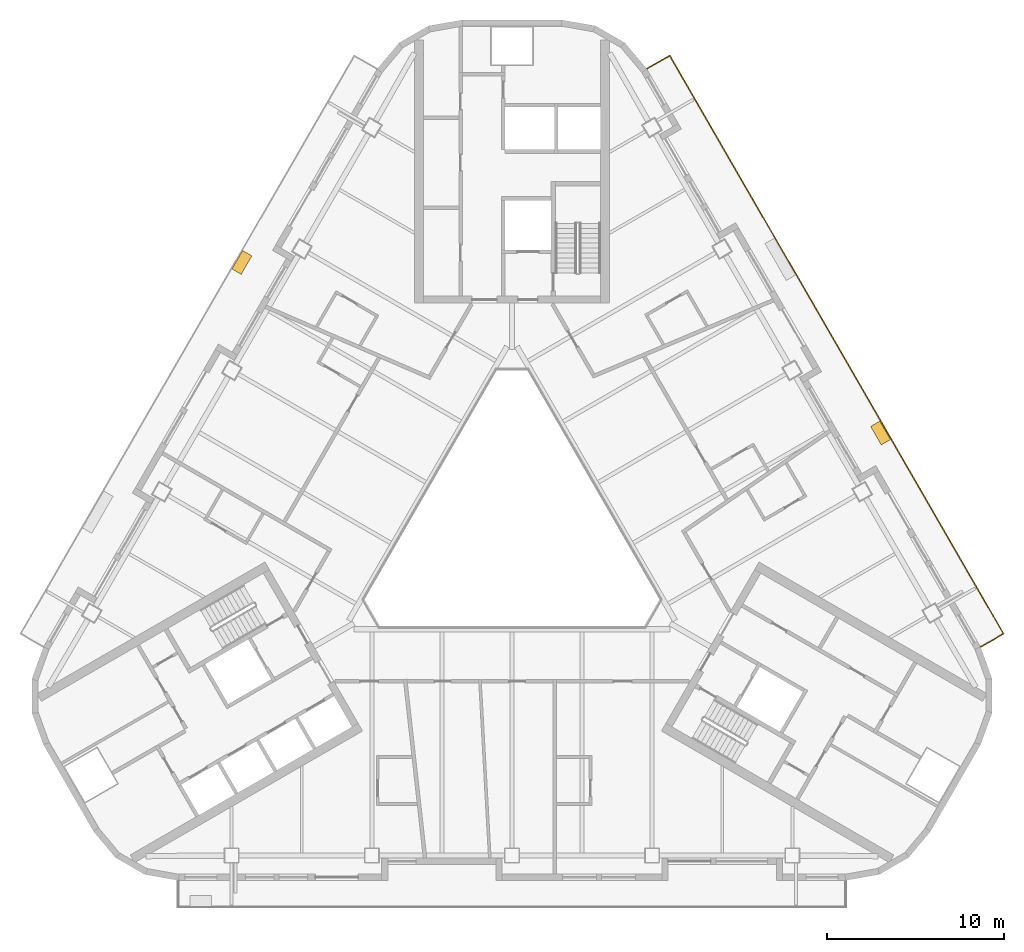
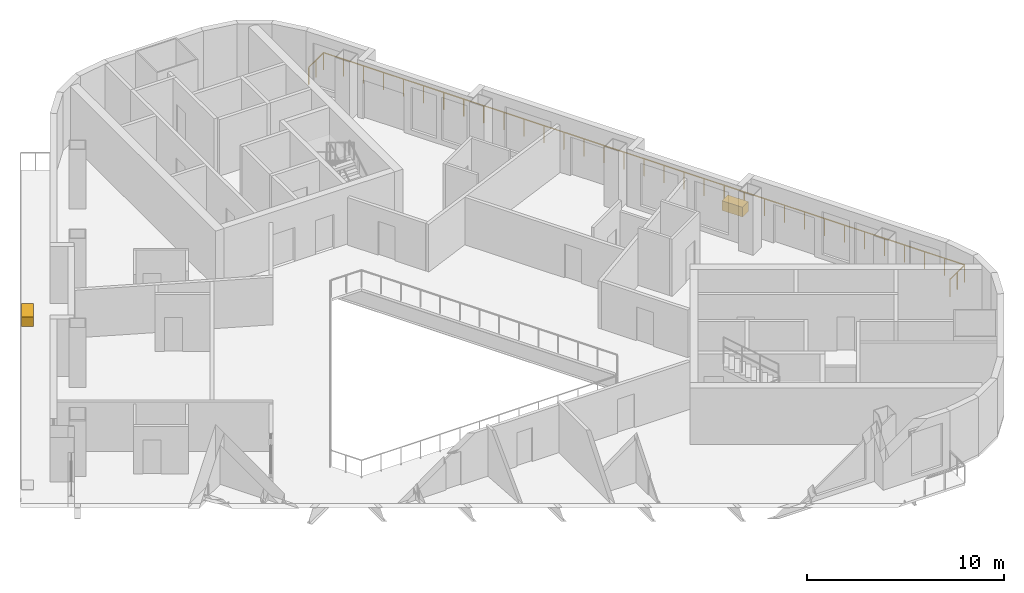
# One storey, part 12 of 13: 2 coverings, 1 railing.
"""IFC4 building model written with IfcOpenShell, lengths in metres."""

from ifc_helpers import new_model, si_unit, direction, frame, origin, origin_2d, place, context, subcontext, project, spatial, rectangle, extrude, material, type_object, element, save


model = new_model("IFC4")

# Units and contexts
model_context = context("Model", 3, precision=1e-05, world=origin(), true_north=direction((0.0, 1.0)))
body_context = subcontext(model_context, "Body", "Model", "MODEL_VIEW")
ifc_project = project(units=[si_unit("LENGTHUNIT", "METRE"), si_unit("AREAUNIT", "SQUARE_METRE"), si_unit("VOLUMEUNIT", "CUBIC_METRE"), si_unit("PLANEANGLEUNIT", "RADIAN"), si_unit("MASSUNIT", "GRAM", prefix="KILO")], contexts=[model_context])

# Site, building, storey
site_placement = place(None, origin())
site = spatial("IfcSite", under=ifc_project, at=site_placement, CompositionType="ELEMENT")
building_placement = place(site_placement, origin())
building = spatial("IfcBuilding", under=site, at=building_placement, Name="Apuvela Tower Hotel", CompositionType="ELEMENT")
storey_placement = place(building_placement, frame((0.0, 0.0, 165.10009765625)))
storey = spatial("IfcBuildingStorey", under=building, at=storey_placement, Name="L39", CompositionType="ELEMENT", Elevation=165.10009765625)

# Railing
ifc_material_1 = material(Name="Stainless steel 316 rail with laminated glass infill", Category="steel")
railing_type = type_object("IfcRailingType", Name="ENV-GUARD-1100", PredefinedType="GUARDRAIL", material=ifc_material_1)
railing_placement = place(storey_placement, frame((26.407958984375, -6.47998046875, 0.0)))
element("IfcRailing", 1, at=railing_placement, inside=storey, type_object=railing_type, Name="Balcony guard NE L39", PredefinedType="GUARDRAIL", context=body_context, shape_type="SweptSolid", body=[
    extrude(rectangle(XDim=0.050048828125, YDim=0.050048828125, at=origin_2d()), frame((0.0, 0.0, 1.0751953125), z_axis=(0.866031096941, 0.499990139034, 0.0), x_axis=(-0.499990139034, 0.866031096941, 0.0)), (0.0, 0.0, 1.0), 1.5),
    extrude(rectangle(XDim=0.050048828125, YDim=0.050048828125, at=origin_2d()), frame((1.299072265625, 0.75, 1.0751953125), z_axis=(-0.500000437506, 0.86602515119, 0.0), x_axis=(-0.86602515119, -0.500000437506, 0.0)), (0.0, 0.0, 1.0), 37.6318359375),
    extrude(rectangle(XDim=0.050048828125, YDim=0.050048828125, at=origin_2d()), frame((-17.516845703125, 33.340087890625, 1.0751953125), z_axis=(-0.86599040064, -0.500060622324, 0.0), x_axis=(0.500060622324, -0.86599040064, 0.0)), (0.0, 0.0, 1.0), 1.499755859375),
    extrude(rectangle(XDim=0.0400390625, YDim=0.0400390625, at=origin_2d()), origin(), (0.0, 0.0, 1.0), 1.050048828125),
    extrude(rectangle(XDim=0.0400390625, YDim=0.0400390625, at=origin_2d()), frame((0.6494140625, 0.375, 0.0)), (0.0, 0.0, 1.0), 1.050048828125),
    extrude(rectangle(XDim=0.0400390625, YDim=0.0400390625, at=origin_2d()), frame((1.299072265625, 0.75, 0.0)), (0.0, 0.0, 1.0), 1.050048828125),
    extrude(rectangle(XDim=0.0400390625, YDim=0.0400390625, at=origin_2d()), frame((0.711181640625, 1.7685546875, 0.0)), (0.0, 0.0, 1.0), 1.050048828125),
    extrude(rectangle(XDim=0.0400390625, YDim=0.0400390625, at=origin_2d()), frame((0.123046875, 2.786865234375, 0.0)), (0.0, 0.0, 1.0), 1.050048828125),
    extrude(rectangle(XDim=0.0400390625, YDim=0.0400390625, at=origin_2d()), frame((-0.46484375, 3.805419921875, 0.0)), (0.0, 0.0, 1.0), 1.050048828125),
    extrude(rectangle(XDim=0.0400390625, YDim=0.0400390625, at=origin_2d()), frame((-1.052978515625, 4.82373046875, 0.0)), (0.0, 0.0, 1.0), 1.050048828125),
    extrude(rectangle(XDim=0.0400390625, YDim=0.0400390625, at=origin_2d()), frame((-1.640869140625, 5.84228515625, 0.0)), (0.0, 0.0, 1.0), 1.050048828125),
    extrude(rectangle(XDim=0.0400390625, YDim=0.0400390625, at=origin_2d()), frame((-2.22900390625, 6.860595703125, 0.0)), (0.0, 0.0, 1.0), 1.050048828125),
    extrude(rectangle(XDim=0.0400390625, YDim=0.0400390625, at=origin_2d()), frame((-2.81689453125, 7.879150390625, 0.0)), (0.0, 0.0, 1.0), 1.050048828125),
    extrude(rectangle(XDim=0.0400390625, YDim=0.0400390625, at=origin_2d()), frame((-3.40478515625, 8.8974609375, 0.0)), (0.0, 0.0, 1.0), 1.050048828125),
    extrude(rectangle(XDim=0.0400390625, YDim=0.0400390625, at=origin_2d()), frame((-3.992919921875, 9.916015625, 0.0)), (0.0, 0.0, 1.0), 1.050048828125),
    extrude(rectangle(XDim=0.0400390625, YDim=0.0400390625, at=origin_2d()), frame((-4.580810546875, 10.934326171875, 0.0)), (0.0, 0.0, 1.0), 1.050048828125),
    extrude(rectangle(XDim=0.0400390625, YDim=0.0400390625, at=origin_2d()), frame((-5.1689453125, 11.952880859375, 0.0)), (0.0, 0.0, 1.0), 1.050048828125),
    extrude(rectangle(XDim=0.0400390625, YDim=0.0400390625, at=origin_2d()), frame((-5.7568359375, 12.97119140625, 0.0)), (0.0, 0.0, 1.0), 1.050048828125),
    extrude(rectangle(XDim=0.0400390625, YDim=0.0400390625, at=origin_2d()), frame((-6.344970703125, 13.98974609375, 0.0)), (0.0, 0.0, 1.0), 1.050048828125),
    extrude(rectangle(XDim=0.0400390625, YDim=0.0400390625, at=origin_2d()), frame((-6.932861328125, 15.008056640625, 0.0)), (0.0, 0.0, 1.0), 1.050048828125),
    extrude(rectangle(XDim=0.0400390625, YDim=0.0400390625, at=origin_2d()), frame((-7.52099609375, 16.026611328125, 0.0)), (0.0, 0.0, 1.0), 1.050048828125),
    extrude(rectangle(XDim=0.0400390625, YDim=0.0400390625, at=origin_2d()), frame((-8.10888671875, 17.044921875, 0.0)), (0.0, 0.0, 1.0), 1.050048828125),
    extrude(rectangle(XDim=0.0400390625, YDim=0.0400390625, at=origin_2d()), frame((-8.69677734375, 18.0634765625, 0.0)), (0.0, 0.0, 1.0), 1.050048828125),
    extrude(rectangle(XDim=0.0400390625, YDim=0.0400390625, at=origin_2d()), frame((-9.284912109375, 19.08203125, 0.0)), (0.0, 0.0, 1.0), 1.050048828125),
    extrude(rectangle(XDim=0.0400390625, YDim=0.0400390625, at=origin_2d()), frame((-9.872802734375, 20.100341796875, 0.0)), (0.0, 0.0, 1.0), 1.050048828125),
    extrude(rectangle(XDim=0.0400390625, YDim=0.0400390625, at=origin_2d()), frame((-10.4609375, 21.118896484375, 0.0)), (0.0, 0.0, 1.0), 1.050048828125),
    extrude(rectangle(XDim=0.0400390625, YDim=0.0400390625, at=origin_2d()), frame((-11.048828125, 22.13720703125, 0.0)), (0.0, 0.0, 1.0), 1.050048828125),
    extrude(rectangle(XDim=0.0400390625, YDim=0.0400390625, at=origin_2d()), frame((-11.636962890625, 23.15576171875, 0.0)), (0.0, 0.0, 1.0), 1.050048828125),
    extrude(rectangle(XDim=0.0400390625, YDim=0.0400390625, at=origin_2d()), frame((-12.224853515625, 24.174072265625, 0.0)), (0.0, 0.0, 1.0), 1.050048828125),
    extrude(rectangle(XDim=0.0400390625, YDim=0.0400390625, at=origin_2d()), frame((-12.81298828125, 25.192626953125, 0.0)), (0.0, 0.0, 1.0), 1.050048828125),
    extrude(rectangle(XDim=0.0400390625, YDim=0.0400390625, at=origin_2d()), frame((-13.40087890625, 26.2109375, 0.0)), (0.0, 0.0, 1.0), 1.050048828125),
    extrude(rectangle(XDim=0.0400390625, YDim=0.0400390625, at=origin_2d()), frame((-13.98876953125, 27.2294921875, 0.0)), (0.0, 0.0, 1.0), 1.050048828125),
    extrude(rectangle(XDim=0.0400390625, YDim=0.0400390625, at=origin_2d()), frame((-14.576904296875, 28.247802734375, 0.0)), (0.0, 0.0, 1.0), 1.050048828125),
    extrude(rectangle(XDim=0.0400390625, YDim=0.0400390625, at=origin_2d()), frame((-15.164794921875, 29.266357421875, 0.0)), (0.0, 0.0, 1.0), 1.050048828125),
    extrude(rectangle(XDim=0.0400390625, YDim=0.0400390625, at=origin_2d()), frame((-15.7529296875, 30.28466796875, 0.0)), (0.0, 0.0, 1.0), 1.050048828125),
    extrude(rectangle(XDim=0.0400390625, YDim=0.0400390625, at=origin_2d()), frame((-16.3408203125, 31.30322265625, 0.0)), (0.0, 0.0, 1.0), 1.050048828125),
    extrude(rectangle(XDim=0.0400390625, YDim=0.0400390625, at=origin_2d()), frame((-16.928955078125, 32.321533203125, 0.0)), (0.0, 0.0, 1.0), 1.050048828125),
    extrude(rectangle(XDim=0.0400390625, YDim=0.0400390625, at=origin_2d()), frame((-17.516845703125, 33.340087890625, 0.0)), (0.0, 0.0, 1.0), 1.050048828125),
    extrude(rectangle(XDim=0.0400390625, YDim=0.0400390625, at=origin_2d()), frame((-18.166259765625, 32.965087890625, 0.0)), (0.0, 0.0, 1.0), 1.050048828125),
    extrude(rectangle(XDim=0.0400390625, YDim=0.0400390625, at=origin_2d()), frame((-18.815673828125, 32.590087890625, 0.0)), (0.0, 0.0, 1.0), 1.050048828125),
])

# Coverings
ifc_material_2 = material(Name="Planting substrate and soil, planted")
covering_type = type_object("IfcCoveringType", Name="ENV-PLANTER-1200x600", PredefinedType="USERDEFINED", material=ifc_material_2)
for number, where, z_axis, x_axis, name in (
    (2, (20.77099609375, 5.58349609375, -0.000244140625), (0.0, 0.0, 1.0), (-0.5, 0.866025403784, 0.0), "Planter NE2"),
    (3, (-15.220947265625, 15.196533203125, -0.000244140625), (0.0, 0.0, 1.0), (-0.5, -0.866025403784, 0.0), "Planter NW4"),
):
    element("IfcCovering", number, at=place(storey_placement, frame(where, z_axis=z_axis, x_axis=x_axis)), inside=storey, type_object=covering_type, Name=name, ObjectType="PLANTER", PredefinedType="USERDEFINED", context=body_context, shape_type="SweptSolid", body=[
        extrude(rectangle(XDim=1.199951171875, YDim=0.60009765625, at=origin_2d()), origin(), (0.0, 0.0, 1.0), 0.60009765625),
    ])

save(model, "model.ifc")
